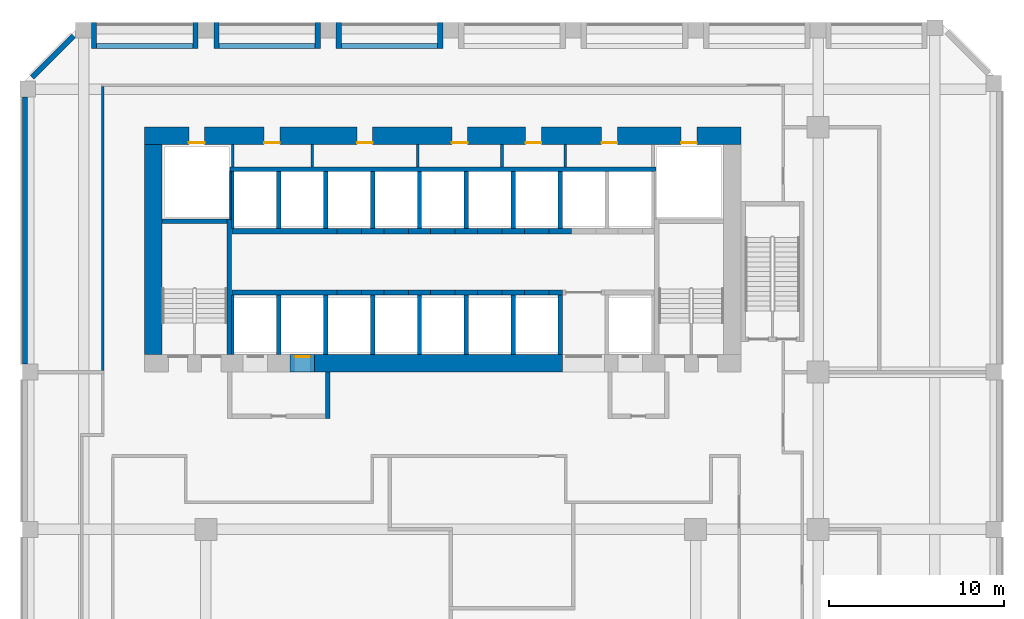
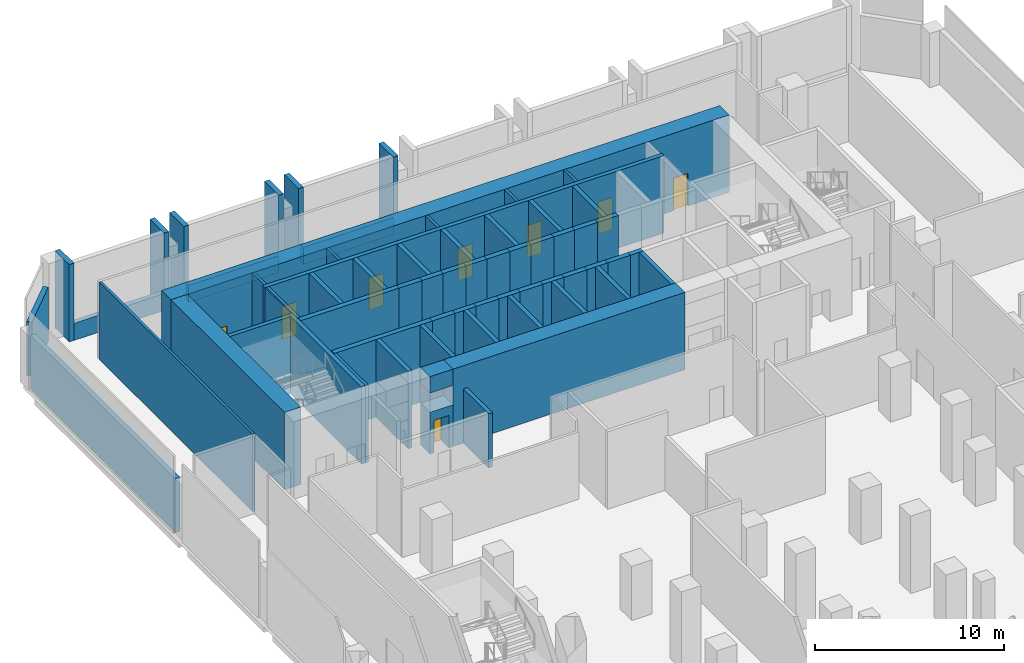
# One storey, part 4 of 10: 65 walls, 8 doors, 8 openings.
"""IFC4 building model written with IfcOpenShell, lengths in metres."""

from ifc_helpers import new_model, si_unit, direction, frame, frame_2d, origin, place, context, subcontext, project, spatial, rectangle, extrude, source, transform, mapped, material, layer, layer_set, type_object, element, fill, save


model = new_model("IFC4")

# Units and contexts
model_context = context("Model", 3, precision=1e-05, world=origin(), true_north=direction((0.0, 1.0)))
body_context = subcontext(model_context, "Body", "Model", "MODEL_VIEW")
ifc_project = project(units=[si_unit("LENGTHUNIT", "METRE"), si_unit("AREAUNIT", "SQUARE_METRE"), si_unit("VOLUMEUNIT", "CUBIC_METRE"), si_unit("PLANEANGLEUNIT", "RADIAN"), si_unit("MASSUNIT", "GRAM", prefix="KILO")], contexts=[model_context])

# Site, building, storey
site_placement = place(None, origin())
site = spatial("IfcSite", under=ifc_project, at=site_placement, CompositionType="ELEMENT")
building_placement = place(site_placement, origin())
building = spatial("IfcBuilding", under=site, at=building_placement, Name="Kilnfold Tower and Market Hall", CompositionType="ELEMENT")
storey_placement = place(building_placement, frame((0.0, 0.0, 95.199951171875)))
storey = spatial("IfcBuildingStorey", under=building, at=storey_placement, Name="L22 Refuge Transfer Level", CompositionType="ELEMENT", Elevation=95.199951171875)

# Walls
ifc_material_1 = material(Name="Gypsum board on steel studs", Category="steel")
ifc_layer_1 = layer(ifc_material_1, 0.14990234375)
ifc_layer_set_1 = layer_set([ifc_layer_1], Name="Gypsum board on steel studs")
wall_type_1 = type_object("IfcWallType", Name="WALL CORRIDOR 150", PredefinedType="PARTITIONING", material=ifc_layer_set_1)
wall_1_placement = place(storey_placement, frame((-18.39990234375, 8.090087890625, 0.0), z_axis=(0.0, 0.0, 1.0), x_axis=(0.0, 1.0, 0.0)))
element("IfcWall", 1, at=wall_1_placement, inside=storey, type_object=wall_type_1, Name="Partition LY15.24", PredefinedType="PARTITIONING", context=body_context, shape_type="SweptSolid", body=[
    extrude(rectangle(XDim=16.23486328125, YDim=0.14990234375, at=frame_2d((8.117431640625, 0.0))), origin(), (0.0, 0.0, 1.0), 5.0),
])
ifc_material_2 = material(Name="Concrete C80", Category="concrete")
ifc_layer_2 = layer(ifc_material_2, 1.0)
ifc_layer_set_2 = layer_set([ifc_layer_2], Name="Concrete C80")
wall_type_2 = type_object("IfcWallType", Name="CORE WALL 1000 C80", PredefinedType="SHEAR", material=ifc_layer_set_2)
shared_shape_1 = source(origin(), body_context, "Body", "SweptSolid", [
    extrude(rectangle(XDim=14.179931640625, YDim=1.0, at=frame_2d((7.08984375, 0.0))), origin(), (0.0, 0.0, 1.0), 5.0),
])
wall_2_placement = place(storey_placement, frame((-6.2900390625, 8.5, 0.0), z_axis=(0.0, 0.0, 1.0), x_axis=(1.0, 0.0, 0.0)))
element("IfcWall", 2, at=wall_2_placement, inside=storey, type_object=wall_type_2, Name="Core outer wall south", PredefinedType="SHEAR", context=body_context, shape_type="MappedRepresentation", body=[
    mapped(shared_shape_1, transform((0.0, 0.0, 0.0))),
])

# Wall, openings, doors
shared_shape_2 = source(origin(), body_context, "Body", "SweptSolid", [
    extrude(rectangle(XDim=34.10009765625, YDim=1.0, at=frame_2d((17.050048828125, 0.0))), origin(), (0.0, 0.0, 1.0), 5.0),
])
wall_3_placement = place(storey_placement, frame((-16.0, 21.5, 0.0), z_axis=(0.0, 0.0, 1.0), x_axis=(1.0, 0.0, 0.0)))
wall_3 = element("IfcWall", 3, at=wall_3_placement, inside=storey, type_object=wall_type_2, Name="Core outer wall north", PredefinedType="SHEAR", context=body_context, shape_type="MappedRepresentation", body=[
    mapped(shared_shape_2, transform((0.0, 0.0, 0.0))),
])
opening_1_placement = place(wall_3_placement, frame((6.831298828125, 0.0, 0.0)))
opening_1 = element("IfcOpeningElement", 4, at=opening_1_placement, cuts=wall_3, Name="Opening KD1", PredefinedType="OPENING", context=body_context, shape_type="SweptSolid", body=[
    extrude(rectangle(XDim=0.89990234375, YDim=2.10009765625, at=frame_2d((0.449951171875, 1.050048828125))), frame((0.0, 0.510009765625, 0.0), z_axis=(0.0, -1.0, 0.0), x_axis=(1.0, 0.0, 0.0)), (0.0, 0.0, 1.0), 1.02001953125),
])
opening_2_placement = place(wall_3_placement, frame((12.1376953125, 0.0, 0.0)))
opening_2 = element("IfcOpeningElement", 5, at=opening_2_placement, cuts=wall_3, Name="Opening KD1", PredefinedType="OPENING", context=body_context, shape_type="SweptSolid", body=[
    extrude(rectangle(XDim=0.89990234375, YDim=2.10009765625, at=frame_2d((0.449951171875, 1.050048828125))), frame((0.0, 0.510009765625, 0.0), z_axis=(0.0, -1.0, 0.0), x_axis=(1.0, 0.0, 0.0)), (0.0, 0.0, 1.0), 1.02001953125),
])
opening_3_placement = place(wall_3_placement, frame((17.564697265625, 0.0, 0.0)))
opening_3 = element("IfcOpeningElement", 6, at=opening_3_placement, cuts=wall_3, Name="Opening KD1", PredefinedType="OPENING", context=body_context, shape_type="SweptSolid", body=[
    extrude(rectangle(XDim=0.89990234375, YDim=2.10009765625, at=frame_2d((0.449951171875, 1.050048828125))), frame((0.0, 0.510009765625, 0.0), z_axis=(0.0, -1.0, 0.0), x_axis=(1.0, 0.0, 0.0)), (0.0, 0.0, 1.0), 1.02001953125),
])
opening_4_placement = place(wall_3_placement, frame((21.785888671875, 0.0, 0.0)))
opening_4 = element("IfcOpeningElement", 7, at=opening_4_placement, cuts=wall_3, Name="Opening KD1", PredefinedType="OPENING", context=body_context, shape_type="SweptSolid", body=[
    extrude(rectangle(XDim=0.89990234375, YDim=2.10009765625, at=frame_2d((0.449951171875, 1.050048828125))), frame((0.0, 0.510009765625, 0.0), z_axis=(0.0, -1.0, 0.0), x_axis=(1.0, 0.0, 0.0)), (0.0, 0.0, 1.0), 1.02001953125),
])
opening_5_placement = place(wall_3_placement, frame((26.12744140625, 0.0, 0.0)))
opening_5 = element("IfcOpeningElement", 8, at=opening_5_placement, cuts=wall_3, Name="Opening KD1", PredefinedType="OPENING", context=body_context, shape_type="SweptSolid", body=[
    extrude(rectangle(XDim=0.89990234375, YDim=2.10009765625, at=frame_2d((0.449951171875, 1.050048828125))), frame((0.0, 0.510009765625, 0.0), z_axis=(0.0, -1.0, 0.0), x_axis=(1.0, 0.0, 0.0)), (0.0, 0.0, 1.0), 1.02001953125),
])
opening_6_placement = place(wall_3_placement, frame((2.52490234375, 0.0, 0.0)))
opening_6 = element("IfcOpeningElement", 9, at=opening_6_placement, cuts=wall_3, Name="Opening KD1", PredefinedType="OPENING", context=body_context, shape_type="SweptSolid", body=[
    extrude(rectangle(XDim=0.89990234375, YDim=2.10009765625, at=frame_2d((0.449951171875, 1.050048828125))), frame((0.0, 0.510009765625, 0.0), z_axis=(0.0, -1.0, 0.0), x_axis=(1.0, 0.0, 0.0)), (0.0, 0.0, 1.0), 1.02001953125),
])
opening_7_placement = place(wall_3_placement, frame((30.675048828125, 0.0, 0.0)))
opening_7 = element("IfcOpeningElement", 10, at=opening_7_placement, cuts=wall_3, Name="Opening KD1", PredefinedType="OPENING", context=body_context, shape_type="SweptSolid", body=[
    extrude(rectangle(XDim=0.89990234375, YDim=2.10009765625, at=frame_2d((0.449951171875, 1.050048828125))), frame((0.0, 0.510009765625, 0.0), z_axis=(0.0, -1.0, 0.0), x_axis=(1.0, 0.0, 0.0)), (0.0, 0.0, 1.0), 1.02001953125),
])
ifc_material_3 = material(Name="Steel door set with fire-resisting leaf", Category="steel")
door_type_1 = type_object("IfcDoorType", Name="SERVICE DOOR 900X2100", OperationType="NOTDEFINED", PredefinedType="DOOR", material=ifc_material_3)
door_1_placement = place(opening_1_placement, origin())
door_1 = element("IfcDoor", 11, at=door_1_placement, inside=storey, type_object=door_type_1, Name="Core service door", OperationType="SINGLE_SWING_RIGHT", OverallHeight=2.10009765625, OverallWidth=0.89990234375, PredefinedType="DOOR", context=body_context, shape_type="SweptSolid", body=[
    extrude(rectangle(XDim=0.89990234375, YDim=2.10009765625, at=frame_2d((0.449951171875, 1.050048828125))), frame((0.0, -0.35498046875, 0.0), z_axis=(0.0, -1.0, 0.0), x_axis=(1.0, 0.0, 0.0)), (0.0, 0.0, 1.0), 0.050048828125),
])
fill(opening_1, door_1)
door_2_placement = place(opening_2_placement, origin())
door_2 = element("IfcDoor", 12, at=door_2_placement, inside=storey, type_object=door_type_1, Name="Core service door", OperationType="SINGLE_SWING_LEFT", OverallHeight=2.10009765625, OverallWidth=0.89990234375, PredefinedType="DOOR", context=body_context, shape_type="SweptSolid", body=[
    extrude(rectangle(XDim=0.89990234375, YDim=2.10009765625, at=frame_2d((0.449951171875, 1.050048828125))), frame((0.0, -0.35498046875, 0.0), z_axis=(0.0, -1.0, 0.0), x_axis=(1.0, 0.0, 0.0)), (0.0, 0.0, 1.0), 0.050048828125),
])
fill(opening_2, door_2)
door_3_placement = place(opening_3_placement, origin())
door_3 = element("IfcDoor", 13, at=door_3_placement, inside=storey, type_object=door_type_1, Name="Core service door", OperationType="SINGLE_SWING_RIGHT", OverallHeight=2.10009765625, OverallWidth=0.89990234375, PredefinedType="DOOR", context=body_context, shape_type="SweptSolid", body=[
    extrude(rectangle(XDim=0.89990234375, YDim=2.10009765625, at=frame_2d((0.449951171875, 1.050048828125))), frame((0.0, -0.35498046875, 0.0), z_axis=(0.0, -1.0, 0.0), x_axis=(1.0, 0.0, 0.0)), (0.0, 0.0, 1.0), 0.050048828125),
])
fill(opening_3, door_3)
door_4_placement = place(opening_4_placement, origin())
door_4 = element("IfcDoor", 14, at=door_4_placement, inside=storey, type_object=door_type_1, Name="Core service door", OperationType="SINGLE_SWING_LEFT", OverallHeight=2.10009765625, OverallWidth=0.89990234375, PredefinedType="DOOR", context=body_context, shape_type="SweptSolid", body=[
    extrude(rectangle(XDim=0.89990234375, YDim=2.10009765625, at=frame_2d((0.449951171875, 1.050048828125))), frame((0.0, -0.35498046875, 0.0), z_axis=(0.0, -1.0, 0.0), x_axis=(1.0, 0.0, 0.0)), (0.0, 0.0, 1.0), 0.050048828125),
])
fill(opening_4, door_4)
door_5_placement = place(opening_5_placement, origin())
door_5 = element("IfcDoor", 15, at=door_5_placement, inside=storey, type_object=door_type_1, Name="Core service door", OperationType="SINGLE_SWING_RIGHT", OverallHeight=2.10009765625, OverallWidth=0.89990234375, PredefinedType="DOOR", context=body_context, shape_type="SweptSolid", body=[
    extrude(rectangle(XDim=0.89990234375, YDim=2.10009765625, at=frame_2d((0.449951171875, 1.050048828125))), frame((0.0, -0.35498046875, 0.0), z_axis=(0.0, -1.0, 0.0), x_axis=(1.0, 0.0, 0.0)), (0.0, 0.0, 1.0), 0.050048828125),
])
fill(opening_5, door_5)
door_6_placement = place(opening_6_placement, origin())
door_6 = element("IfcDoor", 16, at=door_6_placement, inside=storey, type_object=door_type_1, Name="Electrical riser access door", OperationType="SINGLE_SWING_LEFT", OverallHeight=2.10009765625, OverallWidth=0.89990234375, PredefinedType="DOOR", context=body_context, shape_type="SweptSolid", body=[
    extrude(rectangle(XDim=0.89990234375, YDim=2.10009765625, at=frame_2d((0.449951171875, 1.050048828125))), frame((0.0, -0.35498046875, 0.0), z_axis=(0.0, -1.0, 0.0), x_axis=(1.0, 0.0, 0.0)), (0.0, 0.0, 1.0), 0.050048828125),
])
fill(opening_6, door_6)
door_7_placement = place(opening_7_placement, origin())
door_7 = element("IfcDoor", 17, at=door_7_placement, inside=storey, type_object=door_type_1, Name="Mechanical riser access door", OperationType="SINGLE_SWING_RIGHT", OverallHeight=2.10009765625, OverallWidth=0.89990234375, PredefinedType="DOOR", context=body_context, shape_type="SweptSolid", body=[
    extrude(rectangle(XDim=0.89990234375, YDim=2.10009765625, at=frame_2d((0.449951171875, 1.050048828125))), frame((0.0, -0.35498046875, 0.0), z_axis=(0.0, -1.0, 0.0), x_axis=(1.0, 0.0, 0.0)), (0.0, 0.0, 1.0), 0.050048828125),
])
fill(opening_7, door_7)

# Walls
shared_shape_3 = source(origin(), body_context, "Body", "SweptSolid", [
    extrude(rectangle(XDim=12.0, YDim=1.0, at=frame_2d((6.0, 0.0))), origin(), (0.0, 0.0, 1.0), 5.0),
])
wall_4_placement = place(storey_placement, frame((-15.5, 9.0, 0.0), z_axis=(0.0, 0.0, 1.0), x_axis=(0.0, 1.0, 0.0)))
element("IfcWall", 18, at=wall_4_placement, inside=storey, type_object=wall_type_2, Name="Core outer wall west", PredefinedType="SHEAR", context=body_context, shape_type="MappedRepresentation", body=[
    mapped(shared_shape_3, transform((0.0, 0.0, 0.0))),
])
ifc_material_4 = material(Name="Concrete C80", Category="concrete")
ifc_layer_3 = layer(ifc_material_4, 0.25)
ifc_layer_set_3 = layer_set([ifc_layer_3], Name="Concrete C80")
wall_type_3 = type_object("IfcWallType", Name="CORE WALL 250 C80", PredefinedType="SHEAR", material=ifc_layer_set_3)
shared_shape_4 = source(origin(), body_context, "Body", "SweptSolid", [
    extrude(rectangle(XDim=7.75, YDim=0.25, at=frame_2d((3.875, 0.0))), origin(), (0.0, 0.0, 1.0), 5.0),
])
wall_5_placement = place(storey_placement, frame((-11.175048828125, 9.0, 0.0), z_axis=(0.0, 0.0, 1.0), x_axis=(0.0, 1.0, 0.0)))
element("IfcWall", 19, at=wall_5_placement, inside=storey, type_object=wall_type_3, Name="Stair enclosure ST1", PredefinedType="SHEAR", context=body_context, shape_type="MappedRepresentation", body=[
    mapped(shared_shape_4, transform((0.0, 0.0, 0.0))),
])
shared_shape_5 = source(origin(), body_context, "Body", "SweptSolid", [
    extrude(rectangle(XDim=3.699951171875, YDim=0.25, at=frame_2d((1.85009765625, 0.0))), origin(), (0.0, 0.0, 1.0), 5.0),
])
wall_6_placement = place(storey_placement, frame((-15.0, 16.625, 0.0), z_axis=(0.0, 0.0, 1.0), x_axis=(1.0, 0.0, 0.0)))
element("IfcWall", 20, at=wall_6_placement, inside=storey, type_object=wall_type_3, Name="Stair enclosure ST1", PredefinedType="SHEAR", context=body_context, shape_type="MappedRepresentation", body=[
    mapped(shared_shape_5, transform((0.0, 0.0, 0.0))),
])
ifc_material_5 = material(Name="Concrete C80", Category="concrete")
ifc_layer_4 = layer(ifc_material_5, 0.300048828125)
ifc_layer_set_4 = layer_set([ifc_layer_4], Name="Concrete C80")
wall_type_4 = type_object("IfcWallType", Name="CORE WALL 300 C80", PredefinedType="SHEAR", material=ifc_layer_set_4)
shared_shape_6 = source(origin(), body_context, "Body", "SweptSolid", [
    extrude(rectangle(XDim=6.0, YDim=0.300048828125, at=frame_2d((3.0, 0.0))), origin(), (0.0, 0.0, 1.0), 5.0),
])
for number, where, z_axis, x_axis, name in (
    (21, (-11.010009765625, 12.550048828125, 0.0), (0.0, 0.0, 1.0), (1.0, 0.0, 0.0), "Core spine wall"),
    (22, (-11.010009765625, 16.050048828125, 0.0), (0.0, 0.0, 1.0), (1.0, 0.0, 0.0), "Core spine wall"),
):
    element("IfcWall", number, at=place(storey_placement, frame(where, z_axis=z_axis, x_axis=x_axis)), inside=storey, type_object=wall_type_4, Name=name, PredefinedType="SHEAR", context=body_context, shape_type="MappedRepresentation", body=[
        mapped(shared_shape_6, transform((0.0, 0.0, 0.0))),
    ])
shared_shape_7 = source(origin(), body_context, "Body", "SweptSolid", [
    extrude(rectangle(XDim=1.280029296875, YDim=0.300048828125, at=frame_2d((0.64013671875, 0.0))), origin(), (0.0, 0.0, 1.0), 5.0),
])
for number, where, z_axis, x_axis, name in (
    (23, (-3.610107421875, 12.550048828125, 0.0), (0.0, 0.0, 1.0), (1.0, 0.0, 0.0), "Core spine wall"),
    (24, (-0.929931640625, 12.550048828125, 0.0), (0.0, 0.0, 1.0), (1.0, 0.0, 0.0), "Core spine wall"),
    (25, (1.75, 12.550048828125, 0.0), (0.0, 0.0, 1.0), (1.0, 0.0, 0.0), "Core spine wall"),
    (26, (4.429931640625, 12.550048828125, 0.0), (0.0, 0.0, 1.0), (1.0, 0.0, 0.0), "Core spine wall"),
    (27, (-3.610107421875, 16.050048828125, 0.0), (0.0, 0.0, 1.0), (1.0, 0.0, 0.0), "Core spine wall"),
    (28, (-0.929931640625, 16.050048828125, 0.0), (0.0, 0.0, 1.0), (1.0, 0.0, 0.0), "Core spine wall"),
    (29, (1.75, 16.050048828125, 0.0), (0.0, 0.0, 1.0), (1.0, 0.0, 0.0), "Core spine wall"),
    (30, (4.429931640625, 16.050048828125, 0.0), (0.0, 0.0, 1.0), (1.0, 0.0, 0.0), "Core spine wall"),
):
    element("IfcWall", number, at=place(storey_placement, frame(where, z_axis=z_axis, x_axis=x_axis)), inside=storey, type_object=wall_type_4, Name=name, PredefinedType="SHEAR", context=body_context, shape_type="MappedRepresentation", body=[
        mapped(shared_shape_7, transform((0.0, 0.0, 0.0))),
    ])
shared_shape_8 = source(origin(), body_context, "Body", "SweptSolid", [
    extrude(rectangle(XDim=0.77978515625, YDim=0.300048828125, at=frame_2d((0.389892578125, 0.0))), origin(), (0.0, 0.0, 1.0), 5.0),
])
wall_7_placement = place(storey_placement, frame((7.110107421875, 12.550048828125, 0.0), z_axis=(0.0, 0.0, 1.0), x_axis=(1.0, 0.0, 0.0)))
element("IfcWall", 31, at=wall_7_placement, inside=storey, type_object=wall_type_4, Name="Core spine wall", PredefinedType="SHEAR", context=body_context, shape_type="MappedRepresentation", body=[
    mapped(shared_shape_8, transform((0.0, 0.0, 0.0))),
])
shared_shape_9 = source(origin(), body_context, "Body", "SweptSolid", [
    extrude(rectangle(XDim=1.27978515625, YDim=0.300048828125, at=frame_2d((0.639892578125, 0.0))), origin(), (0.0, 0.0, 1.0), 5.0),
])
wall_8_placement = place(storey_placement, frame((7.110107421875, 16.050048828125, 0.0), z_axis=(0.0, 0.0, 1.0), x_axis=(1.0, 0.0, 0.0)))
element("IfcWall", 32, at=wall_8_placement, inside=storey, type_object=wall_type_4, Name="Core spine wall", PredefinedType="SHEAR", context=body_context, shape_type="MappedRepresentation", body=[
    mapped(shared_shape_9, transform((0.0, 0.0, 0.0))),
])
shared_shape_10 = source(origin(), body_context, "Body", "SweptSolid", [
    extrude(rectangle(XDim=1.39990234375, YDim=1.0, at=frame_2d((0.699951171875, 0.0))), origin(), (0.0, 0.0, 1.0), 1.050048828125),
])
wall_9_placement = place(storey_placement, frame((-7.68994140625, 8.5, 3.949951171875), z_axis=(0.0, 0.0, 1.0), x_axis=(1.0, 0.0, 0.0)))
element("IfcWall", 33, at=wall_9_placement, inside=storey, type_object=wall_type_2, Name="Core wall over opening", PredefinedType="SHEAR", context=body_context, shape_type="MappedRepresentation", body=[
    mapped(shared_shape_10, transform((0.0, 0.0, 0.0))),
])
ifc_material_6 = material(Name="Precast concrete C50/60", Category="concrete")
ifc_layer_5 = layer(ifc_material_6, 0.300048828125)
ifc_layer_set_5 = layer_set([ifc_layer_5], Name="Precast concrete C50/60")
wall_type_5 = type_object("IfcWallType", Name="PRECAST WALL 300", PredefinedType="SOLIDWALL", material=ifc_layer_set_5)
shared_shape_11 = source(origin(), body_context, "Body", "SweptSolid", [
    extrude(rectangle(XDim=5.5, YDim=0.300048828125, at=frame_2d((2.75, 0.0))), origin(), (0.0, 0.0, 1.0), 1.10009765625),
])
for number, where, z_axis, x_axis, name in (
    (34, (0.75, 26.64990234375, 0.0), (0.0, 0.0, 1.0), (-1.0, 0.0, 0.0), "Knee wall L22 N"),
    (35, (-6.25, 26.64990234375, 0.0), (0.0, 0.0, 1.0), (-1.0, 0.0, 0.0), "Knee wall L22 N"),
    (36, (-13.25, 26.64990234375, 0.0), (0.0, 0.0, 1.0), (-1.0, 0.0, 0.0), "Knee wall L22 N"),
):
    element("IfcWall", number, at=place(storey_placement, frame(where, z_axis=z_axis, x_axis=x_axis)), inside=storey, type_object=wall_type_5, Name=name, PredefinedType="SOLIDWALL", context=body_context, shape_type="MappedRepresentation", body=[
        mapped(shared_shape_11, transform((0.0, 0.0, 0.0))),
    ])
shared_shape_12 = source(origin(), body_context, "Body", "SweptSolid", [
    extrude(rectangle(XDim=1.5, YDim=0.300048828125, at=frame_2d((0.75, 0.0))), origin(), (0.0, 0.0, 1.0), 5.0),
])
for number, where, z_axis, x_axis, name in (
    (37, (0.89990234375, 28.0, 0.0), (0.0, 0.0, 1.0), (0.0, -1.0, 0.0), "Plant wall L22 N"),
    (38, (-4.89990234375, 28.0, 0.0), (0.0, 0.0, 1.0), (0.0, -1.0, 0.0), "Plant wall L22 N"),
    (39, (-6.10009765625, 28.0, 0.0), (0.0, 0.0, 1.0), (0.0, -1.0, 0.0), "Plant wall L22 N"),
    (40, (-11.89990234375, 28.0, 0.0), (0.0, 0.0, 1.0), (0.0, -1.0, 0.0), "Plant wall L22 N"),
    (41, (-13.10009765625, 28.0, 0.0), (0.0, 0.0, 1.0), (0.0, -1.0, 0.0), "Plant wall L22 N"),
    (42, (-18.89990234375, 28.0, 0.0), (0.0, 0.0, 1.0), (0.0, -1.0, 0.0), "Plant wall L22 N"),
):
    element("IfcWall", number, at=place(storey_placement, frame(where, z_axis=z_axis, x_axis=x_axis)), inside=storey, type_object=wall_type_5, Name=name, PredefinedType="SOLIDWALL", context=body_context, shape_type="MappedRepresentation", body=[
        mapped(shared_shape_12, transform((0.0, 0.0, 0.0))),
    ])
shared_shape_13 = source(origin(), body_context, "Body", "SweptSolid", [
    extrude(rectangle(XDim=3.35888671875, YDim=0.300048828125, at=frame_2d((1.679443359375, 0.0))), origin(), (0.0, 0.0, 1.0), 3.5),
])
wall_10_placement = place(storey_placement, frame((-20.06884765625, 27.218994140625, 0.0), z_axis=(0.0, 0.0, 1.0), x_axis=(-0.707143122278, -0.707070438228, 0.0)))
element("IfcWall", 43, at=wall_10_placement, inside=storey, type_object=wall_type_5, Name="Plant wall L22 NW", PredefinedType="SOLIDWALL", context=body_context, shape_type="MappedRepresentation", body=[
    mapped(shared_shape_13, transform((0.0, 0.0, 0.0))),
])
shared_shape_14 = source(origin(), body_context, "Body", "SweptSolid", [
    extrude(rectangle(XDim=15.28173828125, YDim=0.300048828125, at=frame_2d((7.640869140625, 0.0))), origin(), (0.0, 0.0, 1.0), 3.5),
])
wall_11_placement = place(storey_placement, frame((-22.85009765625, 23.731689453125, 0.0), z_axis=(0.0, 0.0, 1.0), x_axis=(0.0, -1.0, 0.0)))
element("IfcWall", 44, at=wall_11_placement, inside=storey, type_object=wall_type_5, Name="Plant wall L22 W", PredefinedType="SOLIDWALL", context=body_context, shape_type="MappedRepresentation", body=[
    mapped(shared_shape_14, transform((0.0, 0.0, 0.0))),
])

# Wall, opening, door
ifc_material_7 = material(Name="Gypsum shaft wall system")
ifc_layer_6 = layer(ifc_material_7, 1.0)
ifc_layer_set_6 = layer_set([ifc_layer_6], Name="Gypsum shaft wall system")
wall_type_6 = type_object("IfcWallType", Name="LOBBY WALL 1000", PredefinedType="PARTITIONING", material=ifc_layer_set_6)
shared_shape_15 = source(origin(), body_context, "Body", "SweptSolid", [
    extrude(rectangle(XDim=1.39990234375, YDim=1.0, at=frame_2d((0.699951171875, 0.0))), origin(), (0.0, 0.0, 1.0), 2.699951171875),
])
wall_12_placement = place(storey_placement, frame((-7.68994140625, 8.5, 0.0), z_axis=(0.0, 0.0, 1.0), x_axis=(1.0, 0.0, 0.0)))
wall_12 = element("IfcWall", 45, at=wall_12_placement, inside=storey, type_object=wall_type_6, Name="Core wall infill", PredefinedType="PARTITIONING", context=body_context, shape_type="MappedRepresentation", body=[
    mapped(shared_shape_15, transform((0.0, 0.0, 0.0))),
])
opening_8_placement = place(wall_12_placement, frame((0.25, 0.0, 0.0)))
opening_8 = element("IfcOpeningElement", 46, at=opening_8_placement, cuts=wall_12, Name="Opening LD1", PredefinedType="OPENING", context=body_context, shape_type="SweptSolid", body=[
    extrude(rectangle(XDim=0.89990234375, YDim=2.10009765625, at=frame_2d((0.449951171875, 1.050048828125))), frame((0.0, 0.510009765625, 0.0), z_axis=(0.0, -1.0, 0.0), x_axis=(1.0, 0.0, 0.0)), (0.0, 0.0, 1.0), 1.02001953125),
])
ifc_material_8 = material(Name="Steel door set with fire-resisting leaf", Category="steel")
door_type_2 = type_object("IfcDoorType", Name="FIREFIGHTING LANDING DOOR 900X2100", OperationType="NOTDEFINED", PredefinedType="DOOR", material=ifc_material_8)
door_8_placement = place(opening_8_placement, origin())
door_8 = element("IfcDoor", 47, at=door_8_placement, inside=storey, type_object=door_type_2, Name="Landing door FF2", OperationType="SLIDING_TO_RIGHT", OverallHeight=2.10009765625, OverallWidth=0.89990234375, PredefinedType="DOOR", context=body_context, shape_type="SweptSolid", body=[
    extrude(rectangle(XDim=0.89990234375, YDim=2.10009765625, at=frame_2d((0.449951171875, 1.050048828125))), frame((0.0, 0.40478515625, 0.0), z_axis=(0.0, -1.0, 0.0), x_axis=(1.0, 0.0, 0.0)), (0.0, 0.0, 1.0), 0.050048828125),
])
fill(opening_8, door_8)

# Walls
ifc_material_9 = material(Name="Gypsum shaft wall system")
ifc_layer_7 = layer(ifc_material_9, 0.300048828125)
ifc_layer_set_7 = layer_set([ifc_layer_7], Name="Gypsum shaft wall system")
wall_type_7 = type_object("IfcWallType", Name="SHAFT WALL 300", PredefinedType="PARTITIONING", material=ifc_layer_set_7)
shared_shape_16 = source(origin(), body_context, "Body", "SweptSolid", [
    extrude(rectangle(XDim=1.39990234375, YDim=0.300048828125, at=frame_2d((0.699951171875, 0.0))), origin(), (0.0, 0.0, 1.0), 5.0),
])
for number, where, z_axis, x_axis, name in (
    (48, (-5.010009765625, 12.550048828125, 0.0), (0.0, 0.0, 1.0), (1.0, 0.0, 0.0), "Lift shaft front wall"),
    (49, (0.35009765625, 12.550048828125, 0.0), (0.0, 0.0, 1.0), (1.0, 0.0, 0.0), "Lift shaft front wall"),
    (50, (3.030029296875, 12.550048828125, 0.0), (0.0, 0.0, 1.0), (1.0, 0.0, 0.0), "Lift shaft front wall"),
    (51, (-5.010009765625, 16.050048828125, 0.0), (0.0, 0.0, 1.0), (1.0, 0.0, 0.0), "Lift shaft front wall"),
    (52, (0.35009765625, 16.050048828125, 0.0), (0.0, 0.0, 1.0), (1.0, 0.0, 0.0), "Lift shaft front wall"),
    (53, (3.030029296875, 16.050048828125, 0.0), (0.0, 0.0, 1.0), (1.0, 0.0, 0.0), "Lift shaft front wall"),
):
    element("IfcWall", number, at=place(storey_placement, frame(where, z_axis=z_axis, x_axis=x_axis)), inside=storey, type_object=wall_type_7, Name=name, PredefinedType="PARTITIONING", context=body_context, shape_type="MappedRepresentation", body=[
        mapped(shared_shape_16, transform((0.0, 0.0, 0.0))),
    ])
shared_shape_17 = source(origin(), body_context, "Body", "SweptSolid", [
    extrude(rectangle(XDim=1.400146484375, YDim=0.300048828125, at=frame_2d((0.7001953125, 0.0))), origin(), (0.0, 0.0, 1.0), 5.0),
])
for number, where, z_axis, x_axis, name in (
    (54, (-2.330078125, 12.550048828125, 0.0), (0.0, 0.0, 1.0), (1.0, 0.0, 0.0), "Lift shaft front wall"),
    (55, (5.7099609375, 12.550048828125, 0.0), (0.0, 0.0, 1.0), (1.0, 0.0, 0.0), "Lift shaft front wall"),
    (56, (-2.330078125, 16.050048828125, 0.0), (0.0, 0.0, 1.0), (1.0, 0.0, 0.0), "Lift shaft front wall"),
    (57, (5.7099609375, 16.050048828125, 0.0), (0.0, 0.0, 1.0), (1.0, 0.0, 0.0), "Lift shaft front wall"),
):
    element("IfcWall", number, at=place(storey_placement, frame(where, z_axis=z_axis, x_axis=x_axis)), inside=storey, type_object=wall_type_7, Name=name, PredefinedType="PARTITIONING", context=body_context, shape_type="MappedRepresentation", body=[
        mapped(shared_shape_17, transform((0.0, 0.0, 0.0))),
    ])
ifc_material_10 = material(Name="Gypsum shaft wall system")
ifc_layer_8 = layer(ifc_material_10, 0.25)
ifc_layer_set_8 = layer_set([ifc_layer_8], Name="Gypsum shaft wall system")
wall_type_8 = type_object("IfcWallType", Name="LOBBY WALL 250", PredefinedType="PARTITIONING", material=ifc_layer_set_8)
shared_shape_18 = source(origin(), body_context, "Body", "SweptSolid", [
    extrude(rectangle(XDim=2.64990234375, YDim=0.25, at=frame_2d((1.324951171875, 0.0))), origin(), (0.0, 0.0, 1.0), 3.5),
])
wall_13_placement = place(storey_placement, frame((-5.52490234375, 5.35009765625, 0.0), z_axis=(0.0, 0.0, 1.0), x_axis=(0.0, 1.0, 0.0)))
element("IfcWall", 58, at=wall_13_placement, inside=storey, type_object=wall_type_8, Name="Firefighting lobby wall", PredefinedType="PARTITIONING", context=body_context, shape_type="MappedRepresentation", body=[
    mapped(shared_shape_18, transform((0.0, 0.0, 0.0))),
])
ifc_material_11 = material(Name="Gypsum shaft wall system")
ifc_layer_9 = layer(ifc_material_11, 0.25)
ifc_layer_set_9 = layer_set([ifc_layer_9], Name="Gypsum shaft wall system")
wall_type_9 = type_object("IfcWallType", Name="SHAFT WALL 250", PredefinedType="PARTITIONING", material=ifc_layer_set_9)
shared_shape_19 = source(origin(), body_context, "Body", "SweptSolid", [
    extrude(rectangle(XDim=24.3701171875, YDim=0.25, at=frame_2d((12.18505859375, 0.0))), origin(), (0.0, 0.0, 1.0), 5.0),
])
wall_14_placement = place(storey_placement, frame((-11.135009765625, 19.60009765625, 0.0), z_axis=(0.0, 0.0, 1.0), x_axis=(1.0, 0.0, 0.0)))
element("IfcWall", 59, at=wall_14_placement, inside=storey, type_object=wall_type_9, Name="Lift shaft wall", PredefinedType="PARTITIONING", context=body_context, shape_type="MappedRepresentation", body=[
    mapped(shared_shape_19, transform((0.0, 0.0, 0.0))),
])
ifc_material_12 = material(Name="Gypsum shaft wall system")
ifc_layer_10 = layer(ifc_material_12, 0.1650390625)
ifc_layer_set_10 = layer_set([ifc_layer_10], Name="Gypsum shaft wall system")
wall_type_10 = type_object("IfcWallType", Name="SHAFT WALL 165", PredefinedType="PARTITIONING", material=ifc_layer_set_10)
shared_shape_20 = source(origin(), body_context, "Body", "SweptSolid", [
    extrude(rectangle(XDim=3.275146484375, YDim=0.1650390625, at=frame_2d((1.6376953125, 0.0))), origin(), (0.0, 0.0, 1.0), 5.0),
])
wall_15_placement = place(storey_placement, frame((-10.967529296875, 16.199951171875, 0.0), z_axis=(0.0, 0.0, 1.0), x_axis=(0.0, 1.0, 0.0)))
element("IfcWall", 60, at=wall_15_placement, inside=storey, type_object=wall_type_10, Name="Lift shaft wall", PredefinedType="PARTITIONING", context=body_context, shape_type="MappedRepresentation", body=[
    mapped(shared_shape_20, transform((0.0, 0.0, 0.0))),
])
shared_shape_21 = source(origin(), body_context, "Body", "SweptSolid", [
    extrude(rectangle(XDim=1.27490234375, YDim=0.1650390625, at=frame_2d((0.637451171875, 0.0))), origin(), (0.0, 0.0, 1.0), 5.0),
])
wall_16_placement = place(storey_placement, frame((-10.967529296875, 19.72509765625, 0.0), z_axis=(0.0, 0.0, 1.0), x_axis=(0.0, 1.0, 0.0)))
element("IfcWall", 61, at=wall_16_placement, inside=storey, type_object=wall_type_10, Name="Lift shaft wall", PredefinedType="PARTITIONING", context=body_context, shape_type="MappedRepresentation", body=[
    mapped(shared_shape_21, transform((0.0, 0.0, 0.0))),
])
shared_shape_22 = source(origin(), body_context, "Body", "SweptSolid", [
    extrude(rectangle(XDim=3.275146484375, YDim=0.25, at=frame_2d((1.6376953125, 0.0))), origin(), (0.0, 0.0, 1.0), 5.0),
])
for number, where, z_axis, x_axis, name in (
    (62, (2.389892578125, 16.199951171875, 0.0), (0.0, 0.0, 1.0), (0.0, 1.0, 0.0), "Lift shaft wall"),
    (63, (5.070068359375, 16.199951171875, 0.0), (0.0, 0.0, 1.0), (0.0, 1.0, 0.0), "Lift shaft wall"),
    (64, (7.75, 16.199951171875, 0.0), (0.0, 0.0, 1.0), (0.0, 1.0, 0.0), "Lift shaft wall"),
    (65, (-0.2900390625, 16.199951171875, 0.0), (0.0, 0.0, 1.0), (0.0, 1.0, 0.0), "Lift shaft wall"),
    (66, (-2.969970703125, 16.199951171875, 0.0), (0.0, 0.0, 1.0), (0.0, 1.0, 0.0), "Lift shaft wall"),
    (67, (-5.64990234375, 16.199951171875, 0.0), (0.0, 0.0, 1.0), (0.0, 1.0, 0.0), "Lift shaft wall"),
    (68, (-8.330078125, 16.199951171875, 0.0), (0.0, 0.0, 1.0), (0.0, 1.0, 0.0), "Lift shaft wall"),
):
    element("IfcWall", number, at=place(storey_placement, frame(where, z_axis=z_axis, x_axis=x_axis)), inside=storey, type_object=wall_type_9, Name=name, PredefinedType="PARTITIONING", context=body_context, shape_type="MappedRepresentation", body=[
        mapped(shared_shape_22, transform((0.0, 0.0, 0.0))),
    ])
ifc_material_13 = material(Name="Gypsum shaft wall system")
ifc_layer_11 = layer(ifc_material_13, 0.0849609375)
ifc_layer_set_11 = layer_set([ifc_layer_11], Name="Gypsum shaft wall system")
wall_type_11 = type_object("IfcWallType", Name="SHAFT WALL 85", PredefinedType="PARTITIONING", material=ifc_layer_set_11)
shared_shape_23 = source(origin(), body_context, "Body", "SweptSolid", [
    extrude(rectangle(XDim=2.72509765625, YDim=0.0849609375, at=frame_2d((1.362548828125, 0.0))), origin(), (0.0, 0.0, 1.0), 5.0),
])
wall_17_placement = place(storey_placement, frame((-11.092529296875, 16.75, 0.0), z_axis=(0.0, 0.0, 1.0), x_axis=(0.0, 1.0, 0.0)))
element("IfcWall", 69, at=wall_17_placement, inside=storey, type_object=wall_type_11, Name="Lift shaft wall", PredefinedType="PARTITIONING", context=body_context, shape_type="MappedRepresentation", body=[
    mapped(shared_shape_23, transform((0.0, 0.0, 0.0))),
])
shared_shape_24 = source(origin(), body_context, "Body", "SweptSolid", [
    extrude(rectangle(XDim=3.39990234375, YDim=0.25, at=frame_2d((1.699951171875, 0.0))), origin(), (0.0, 0.0, 1.0), 5.0),
])
for number, where, z_axis, x_axis, name in (
    (70, (2.389892578125, 9.0, 0.0), (0.0, 0.0, 1.0), (0.0, 1.0, 0.0), "Lift shaft wall"),
    (71, (5.070068359375, 9.0, 0.0), (0.0, 0.0, 1.0), (0.0, 1.0, 0.0), "Lift shaft wall"),
    (72, (7.75, 9.0, 0.0), (0.0, 0.0, 1.0), (0.0, 1.0, 0.0), "Lift shaft wall"),
    (73, (-0.2900390625, 9.0, 0.0), (0.0, 0.0, 1.0), (0.0, 1.0, 0.0), "Lift shaft wall"),
    (74, (-2.969970703125, 9.0, 0.0), (0.0, 0.0, 1.0), (0.0, 1.0, 0.0), "Lift shaft wall"),
    (75, (-5.64990234375, 9.0, 0.0), (0.0, 0.0, 1.0), (0.0, 1.0, 0.0), "Lift shaft wall"),
    (76, (-8.330078125, 9.0, 0.0), (0.0, 0.0, 1.0), (0.0, 1.0, 0.0), "Lift shaft wall"),
):
    element("IfcWall", number, at=place(storey_placement, frame(where, z_axis=z_axis, x_axis=x_axis)), inside=storey, type_object=wall_type_9, Name=name, PredefinedType="PARTITIONING", context=body_context, shape_type="MappedRepresentation", body=[
        mapped(shared_shape_24, transform((0.0, 0.0, 0.0))),
    ])
shared_shape_25 = source(origin(), body_context, "Body", "SweptSolid", [
    extrude(rectangle(XDim=3.39990234375, YDim=0.1650390625, at=frame_2d((1.699951171875, 0.0))), origin(), (0.0, 0.0, 1.0), 5.0),
])
wall_18_placement = place(storey_placement, frame((-10.967529296875, 9.0, 0.0), z_axis=(0.0, 0.0, 1.0), x_axis=(0.0, 1.0, 0.0)))
element("IfcWall", 77, at=wall_18_placement, inside=storey, type_object=wall_type_10, Name="Lift shaft wall", PredefinedType="PARTITIONING", context=body_context, shape_type="MappedRepresentation", body=[
    mapped(shared_shape_25, transform((0.0, 0.0, 0.0))),
])
ifc_material_14 = material(Name="Gypsum shaft wall system")
ifc_layer_12 = layer(ifc_material_14, 0.14990234375)
ifc_layer_set_12 = layer_set([ifc_layer_12], Name="Gypsum shaft wall system")
wall_type_12 = type_object("IfcWallType", Name="ROOM WALL 150", PredefinedType="PARTITIONING", material=ifc_layer_set_12)
shared_shape_26 = source(origin(), body_context, "Body", "SweptSolid", [
    extrude(rectangle(XDim=1.27490234375, YDim=0.14990234375, at=frame_2d((0.637451171875, 0.0))), origin(), (0.0, 0.0, 1.0), 5.0),
])
for number, where, z_axis, x_axis, name in (
    (78, (-6.42724609375, 19.72509765625, 0.0), (0.0, 0.0, 1.0), (0.0, 1.0, 0.0), "Core room wall"),
    (79, (-0.397216796875, 19.72509765625, 0.0), (0.0, 0.0, 1.0), (0.0, 1.0, 0.0), "Core room wall"),
    (80, (4.4267578125, 19.72509765625, 0.0), (0.0, 0.0, 1.0), (0.0, 1.0, 0.0), "Core room wall"),
    (81, (8.044921875, 19.72509765625, 0.0), (0.0, 0.0, 1.0), (0.0, 1.0, 0.0), "Core room wall"),
):
    element("IfcWall", number, at=place(storey_placement, frame(where, z_axis=z_axis, x_axis=x_axis)), inside=storey, type_object=wall_type_12, Name=name, PredefinedType="PARTITIONING", context=body_context, shape_type="MappedRepresentation", body=[
        mapped(shared_shape_26, transform((0.0, 0.0, 0.0))),
    ])

save(model, "model.ifc")
